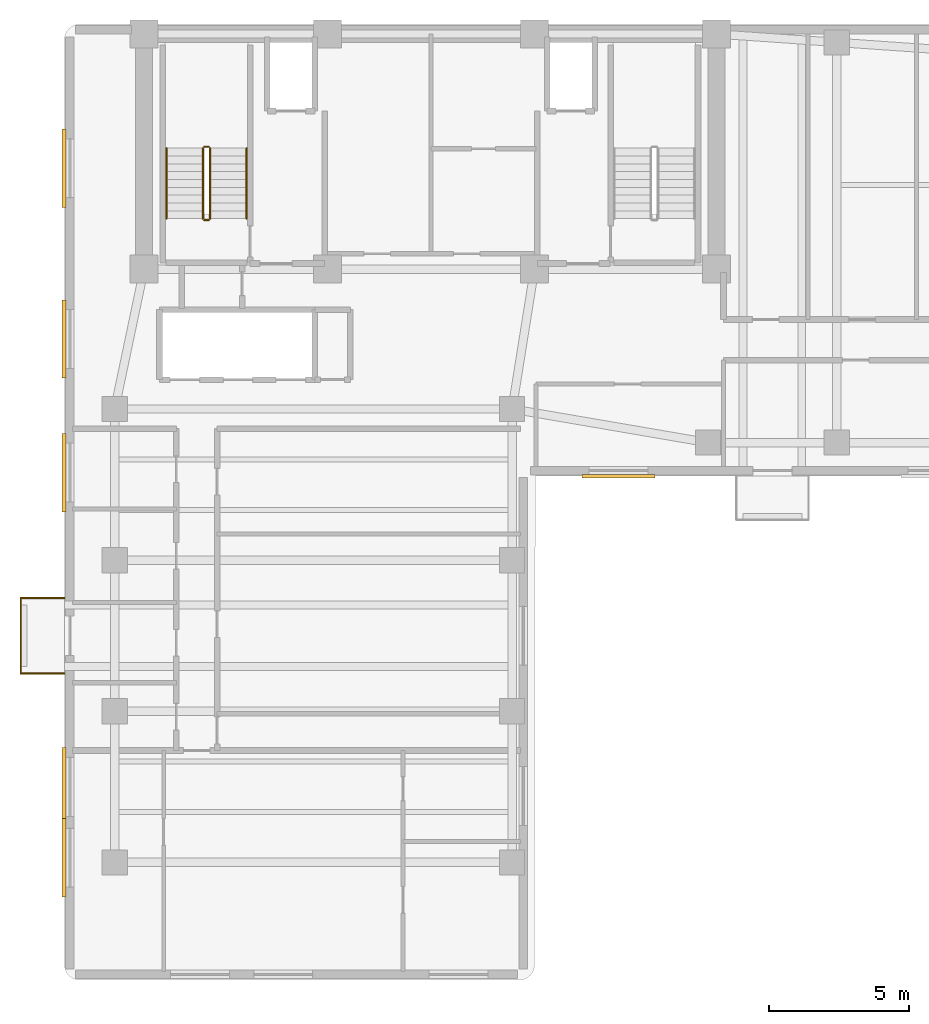
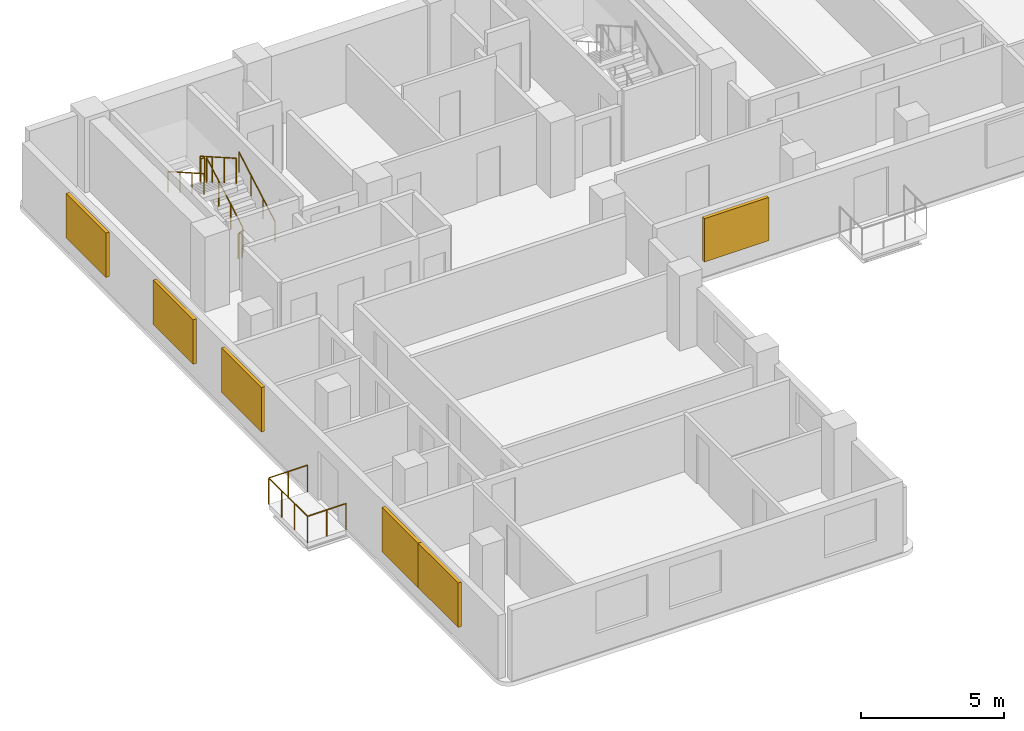
# One storey, part 6 of 7: 9 railings, 6 shading devices.
"""IFC4 building model written with IfcOpenShell, lengths in metres."""

from ifc_helpers import new_model, si_unit, direction, frame, origin, origin_2d, place, context, subcontext, project, spatial, rectangle, circle, extrude, material, layer, layer_set, type_object, element, save


model = new_model("IFC4")

# Units and contexts
model_context = context("Model", 3, precision=1e-05, world=origin(), true_north=direction((0.0, 1.0)))
body_context = subcontext(model_context, "Body", "Model", "MODEL_VIEW")
ifc_project = project(units=[si_unit("LENGTHUNIT", "METRE"), si_unit("AREAUNIT", "SQUARE_METRE"), si_unit("VOLUMEUNIT", "CUBIC_METRE"), si_unit("PLANEANGLEUNIT", "RADIAN"), si_unit("MASSUNIT", "GRAM", prefix="KILO")], contexts=[model_context])

# Site, building, storey
site_placement = place(None, origin())
site = spatial("IfcSite", under=ifc_project, at=site_placement, CompositionType="ELEMENT")
building_placement = place(site_placement, origin())
building = spatial("IfcBuilding", under=site, at=building_placement, Name="Kuzgunbayir Cultural Tower", CompositionType="ELEMENT")
storey_placement = place(building_placement, frame((0.0, 0.0, 179.199951171875)))
storey = spatial("IfcBuildingStorey", under=building, at=storey_placement, Name="L52", CompositionType="ELEMENT", Elevation=179.199951171875)

# Railings
ifc_material_1 = material(Name="Laminated Glass and Stainless Steel", Category="steel")
ifc_layer_1 = layer(ifc_material_1, 0.080078125)
ifc_layer_set_1 = layer_set([ifc_layer_1], Name="Laminated Glass and Stainless Steel")
railing_type_1 = type_object("IfcRailingType", Name="RLG-BAL-115", PredefinedType="BALUSTRADE", material=ifc_layer_set_1)
railing_1_placement = place(storey_placement, frame((3.60009765625, 19.35009765625, 0.0)))
element("IfcRailing", 1, at=railing_1_placement, inside=storey, type_object=railing_type_1, Name="L52 Balcony Guard BAL-L52-WA2 Segment 1", PredefinedType="BALUSTRADE", context=body_context, shape_type="SweptSolid", body=[
    extrude(circle(Radius=0.02392578125, at=origin_2d()), frame((0.0, 0.0, 1.1259765625), z_axis=(-1.0, 0.0, 0.0), x_axis=(0.0, -1.0, 0.0)), (0.0, 0.0, 1.0), 1.56005859375),
    extrude(circle(Radius=0.02099609375, at=origin_2d()), origin(), (0.0, 0.0, 1.0), 1.101806640625),
    extrude(circle(Radius=0.02099609375, at=origin_2d()), frame((-0.780029296875, 0.0, 0.0)), (0.0, 0.0, 1.0), 1.101806640625),
    extrude(circle(Radius=0.02099609375, at=origin_2d()), frame((-1.56005859375, 0.0, 0.0)), (0.0, 0.0, 1.0), 1.101806640625),
])
railing_2_placement = place(storey_placement, frame((2.0400390625, 19.35009765625, 0.0)))
element("IfcRailing", 2, at=railing_2_placement, inside=storey, type_object=railing_type_1, Name="L52 Balcony Guard BAL-L52-WA2 Segment 2", PredefinedType="BALUSTRADE", context=body_context, shape_type="SweptSolid", body=[
    extrude(circle(Radius=0.02392578125, at=origin_2d()), frame((0.0, 0.0, 1.1259765625), z_axis=(0.0, 1.0, 0.0), x_axis=(-1.0, 0.0, 0.0)), (0.0, 0.0, 1.0), 2.699951171875),
    extrude(circle(Radius=0.02099609375, at=origin_2d()), origin(), (0.0, 0.0, 1.0), 1.101806640625),
    extrude(circle(Radius=0.02099609375, at=origin_2d()), frame((0.0, 0.89990234375, 0.0)), (0.0, 0.0, 1.0), 1.101806640625),
    extrude(circle(Radius=0.02099609375, at=origin_2d()), frame((0.0, 1.800048828125, 0.0)), (0.0, 0.0, 1.0), 1.101806640625),
    extrude(circle(Radius=0.02099609375, at=origin_2d()), frame((0.0, 2.699951171875, 0.0)), (0.0, 0.0, 1.0), 1.101806640625),
])
railing_3_placement = place(storey_placement, frame((2.0400390625, 22.050048828125, 0.0)))
element("IfcRailing", 3, at=railing_3_placement, inside=storey, type_object=railing_type_1, Name="L52 Balcony Guard BAL-L52-WA2 Segment 3", PredefinedType="BALUSTRADE", context=body_context, shape_type="SweptSolid", body=[
    extrude(circle(Radius=0.02392578125, at=origin_2d()), frame((0.0, 0.0, 1.1259765625), z_axis=(1.0, 0.0, 0.0), x_axis=(0.0, 1.0, 0.0)), (0.0, 0.0, 1.0), 1.56005859375),
    extrude(circle(Radius=0.02099609375, at=origin_2d()), origin(), (0.0, 0.0, 1.0), 1.101806640625),
    extrude(circle(Radius=0.02099609375, at=origin_2d()), frame((0.780029296875, 0.0, 0.0)), (0.0, 0.0, 1.0), 1.101806640625),
    extrude(circle(Radius=0.02099609375, at=origin_2d()), frame((1.56005859375, 0.0, 0.0)), (0.0, 0.0, 1.0), 1.101806640625),
])
ifc_material_2 = material(Name="Brushed Stainless Steel", Category="steel")
ifc_layer_2 = layer(ifc_material_2, 0.050048828125)
ifc_layer_set_2 = layer_set([ifc_layer_2], Name="Brushed Stainless Steel")
railing_type_2 = type_object("IfcRailingType", Name="RLG-STAIR-HANDRAIL", PredefinedType="HANDRAIL", material=ifc_layer_set_2)
railing_4_placement = place(storey_placement, frame((10.110107421875, 35.60009765625, 0.16015625)))
element("IfcRailing", 4, at=railing_4_placement, inside=storey, type_object=railing_type_2, Name="L52 ST-1 stair handrail 1", PredefinedType="HANDRAIL", context=body_context, shape_type="SweptSolid", body=[
    extrude(circle(Radius=0.02392578125, at=origin_2d()), frame((0.0, 0.0, 0.8759765625), z_axis=(0.0, 0.868253494771, 0.496120820787), x_axis=(-1.0, 0.0, 0.0)), (0.0, 0.0, 1.0), 2.90234375),
    extrude(circle(Radius=0.02099609375, at=origin_2d()), origin(), (0.0, 0.0, 1.0), 0.851806640625),
    extrude(circle(Radius=0.02099609375, at=origin_2d()), frame((0.0, 0.840087890625, 0.47998046875)), (0.0, 0.0, 1.0), 0.851806640625),
    extrude(circle(Radius=0.02099609375, at=origin_2d()), frame((0.0, 1.679931640625, 0.9599609375)), (0.0, 0.0, 1.0), 0.851806640625),
    extrude(circle(Radius=0.02099609375, at=origin_2d()), frame((0.0, 2.52001953125, 1.43994140625)), (0.0, 0.0, 1.0), 0.851806640625),
])
railing_5_placement = place(storey_placement, frame((7.25, 38.1201171875, 1.760009765625)))
element("IfcRailing", 5, at=railing_5_placement, inside=storey, type_object=railing_type_2, Name="L52 ST-1 stair handrail 2", PredefinedType="HANDRAIL", context=body_context, shape_type="SweptSolid", body=[
    extrude(circle(Radius=0.02392578125, at=origin_2d()), frame((0.0, 0.0, 0.8759765625), z_axis=(0.0, -0.868253494771, 0.496120820787), x_axis=(1.0, 0.0, 0.0)), (0.0, 0.0, 1.0), 2.90234375),
    extrude(circle(Radius=0.02099609375, at=origin_2d()), origin(), (0.0, 0.0, 1.0), 0.851806640625),
    extrude(circle(Radius=0.02099609375, at=origin_2d()), frame((0.0, -0.840087890625, 0.47998046875)), (0.0, 0.0, 1.0), 0.851806640625),
    extrude(circle(Radius=0.02099609375, at=origin_2d()), frame((0.0, -1.679931640625, 0.9599609375)), (0.0, 0.0, 1.0), 0.851806640625),
    extrude(circle(Radius=0.02099609375, at=origin_2d()), frame((0.0, -2.52001953125, 1.43994140625)), (0.0, 0.0, 1.0), 0.851806640625),
])
ifc_material_3 = material(Name="Painted Steel Balustrade", Category="steel")
ifc_layer_3 = layer(ifc_material_3, 0.06005859375)
ifc_layer_set_3 = layer_set([ifc_layer_3], Name="Painted Steel Balustrade")
railing_type_3 = type_object("IfcRailingType", Name="RLG-WELL-GUARD", PredefinedType="GUARDRAIL", material=ifc_layer_set_3)
railing_6_placement = place(storey_placement, frame((8.81005859375, 35.60009765625, 0.16015625)))
element("IfcRailing", 6, at=railing_6_placement, inside=storey, type_object=railing_type_3, Name="L52 ST-1 stair guard 1", PredefinedType="GUARDRAIL", context=body_context, shape_type="SweptSolid", body=[
    extrude(circle(Radius=0.02392578125, at=origin_2d()), frame((0.0, 0.0, 1.076171875), z_axis=(0.0, 0.868253494771, 0.496120820787), x_axis=(-1.0, 0.0, 0.0)), (0.0, 0.0, 1.0), 2.90234375),
    extrude(circle(Radius=0.02099609375, at=origin_2d()), origin(), (0.0, 0.0, 1.0), 1.052001953125),
    extrude(circle(Radius=0.02099609375, at=origin_2d()), frame((0.0, 0.840087890625, 0.47998046875)), (0.0, 0.0, 1.0), 1.052001953125),
    extrude(circle(Radius=0.02099609375, at=origin_2d()), frame((0.0, 1.679931640625, 0.9599609375)), (0.0, 0.0, 1.0), 1.052001953125),
    extrude(circle(Radius=0.02099609375, at=origin_2d()), frame((0.0, 2.52001953125, 1.43994140625)), (0.0, 0.0, 1.0), 1.052001953125),
])
railing_7_placement = place(storey_placement, frame((8.760009765625, 38.169921875, 1.60009765625)))
element("IfcRailing", 7, at=railing_7_placement, inside=storey, type_object=railing_type_3, Name="L52 ST-1 stair guard 2", PredefinedType="GUARDRAIL", context=body_context, shape_type="SweptSolid", body=[
    extrude(circle(Radius=0.02392578125, at=origin_2d()), frame((0.0, 0.0, 1.076171875), z_axis=(-1.0, 0.0, 0.0), x_axis=(0.0, -1.0, 0.0)), (0.0, 0.0, 1.0), 0.159912109375),
    extrude(circle(Radius=0.02099609375, at=origin_2d()), origin(), (0.0, 0.0, 1.0), 1.052001953125),
    extrude(circle(Radius=0.02099609375, at=origin_2d()), frame((-0.159912109375, 0.0, 0.0)), (0.0, 0.0, 1.0), 1.052001953125),
])
railing_8_placement = place(storey_placement, frame((8.550048828125, 38.1201171875, 1.760009765625)))
element("IfcRailing", 8, at=railing_8_placement, inside=storey, type_object=railing_type_3, Name="L52 ST-1 stair guard 3", PredefinedType="GUARDRAIL", context=body_context, shape_type="SweptSolid", body=[
    extrude(circle(Radius=0.02392578125, at=origin_2d()), frame((0.0, 0.0, 1.076171875), z_axis=(0.0, -0.868253494771, 0.496120820787), x_axis=(1.0, 0.0, 0.0)), (0.0, 0.0, 1.0), 2.90234375),
    extrude(circle(Radius=0.02099609375, at=origin_2d()), origin(), (0.0, 0.0, 1.0), 1.052001953125),
    extrude(circle(Radius=0.02099609375, at=origin_2d()), frame((0.0, -0.840087890625, 0.47998046875)), (0.0, 0.0, 1.0), 1.052001953125),
    extrude(circle(Radius=0.02099609375, at=origin_2d()), frame((0.0, -1.679931640625, 0.9599609375)), (0.0, 0.0, 1.0), 1.052001953125),
    extrude(circle(Radius=0.02099609375, at=origin_2d()), frame((0.0, -2.52001953125, 1.43994140625)), (0.0, 0.0, 1.0), 1.052001953125),
])
railing_9_placement = place(storey_placement, frame((8.760009765625, 35.550048828125, 0.0)))
element("IfcRailing", 9, at=railing_9_placement, inside=storey, type_object=railing_type_3, Name="L52 ST-1 stair guard 4", PredefinedType="GUARDRAIL", context=body_context, shape_type="SweptSolid", body=[
    extrude(circle(Radius=0.02392578125, at=origin_2d()), frame((0.0, 0.0, 1.076171875), z_axis=(-1.0, 0.0, 0.0), x_axis=(0.0, -1.0, 0.0)), (0.0, 0.0, 1.0), 0.159912109375),
    extrude(circle(Radius=0.02099609375, at=origin_2d()), origin(), (0.0, 0.0, 1.0), 1.052001953125),
    extrude(circle(Radius=0.02099609375, at=origin_2d()), frame((-0.159912109375, 0.0, 0.0)), (0.0, 0.0, 1.0), 1.052001953125),
])

# Shading devices
ifc_material_4 = material(Name="Perforated Bronze-Anodised Aluminium", Category="aluminium")
shading_device_type = type_object("IfcShadingDeviceType", Name="SHD-SOLAR-BRONZE", PredefinedType="JALOUSIE", material=ifc_material_4)
for number, where, z_axis, x_axis, name in (
    (10, (3.590087890625, 12.77001953125, 0.7001953125), (0.0, 0.0, 1.0), (1.0, 0.0, 0.0), "L52 Perforated Bronze Solar Screen WAW1"),
    (11, (3.590087890625, 15.300048828125, 0.7001953125), (0.0, 0.0, 1.0), (1.0, 0.0, 0.0), "L52 Perforated Bronze Solar Screen WAW9"),
    (12, (3.590087890625, 26.530029296875, 0.7001953125), (0.0, 0.0, 1.0), (1.0, 0.0, 0.0), "L52 Perforated Bronze Solar Screen WAW10"),
    (13, (3.590087890625, 31.300048828125, 0.7001953125), (0.0, 0.0, 1.0), (1.0, 0.0, 0.0), "L52 Perforated Bronze Solar Screen WAW11"),
    (14, (3.590087890625, 37.39990234375, 0.7001953125), (0.0, 0.0, 1.0), (1.0, 0.0, 0.0), "L52 Perforated Bronze Solar Screen WAW12"),
):
    element("IfcShadingDevice", number, at=place(storey_placement, frame(where, z_axis=z_axis, x_axis=x_axis)), inside=storey, type_object=shading_device_type, Name=name, PredefinedType="JALOUSIE", context=body_context, shape_type="SweptSolid", body=[
        extrude(rectangle(XDim=0.139892578125, YDim=2.800048828125, at=origin_2d()), origin(), (0.0, 0.0, 1.0), 1.89990234375),
    ])
shading_device_placement = place(storey_placement, frame((23.39990234375, 26.39990234375, 0.72509765625), z_axis=(0.0, 0.0, 1.0), x_axis=(1.0, 0.0, 0.0)))
element("IfcShadingDevice", 15, at=shading_device_placement, inside=storey, type_object=shading_device_type, Name="L52 Solar Screen WBS15", PredefinedType="JALOUSIE", context=body_context, shape_type="SweptSolid", body=[
    extrude(rectangle(XDim=2.60009765625, YDim=0.139892578125, at=origin_2d()), origin(), (0.0, 0.0, 1.0), 1.85009765625),
])

save(model, "model.ifc")
